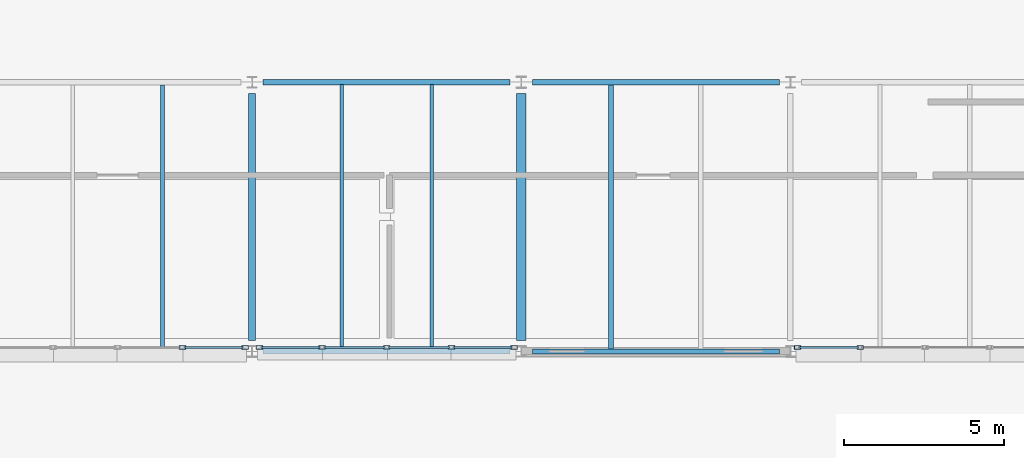
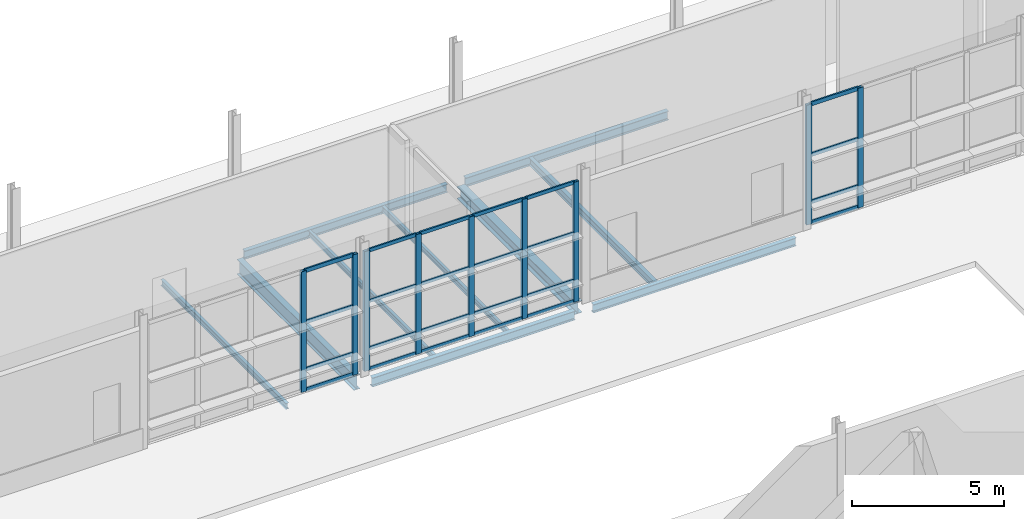
# One storey, part 25 of 124: 33 members, 10 beams, 3 elements without a shape of their own.
"""IFC4 building model written with IfcOpenShell, lengths in metres."""

from ifc_helpers import new_model, si_unit, direction, frame, origin, origin_2d, place, context, subcontext, project, spatial, hollow_rectangle, i_section, extrude, material, material_profile, profile_set, type_object, element, aggregate, save


model = new_model("IFC4")

# Units and contexts
model_context = context("Model", 3, precision=1e-05, world=origin(), true_north=direction((0.0, 1.0)))
body_context = subcontext(model_context, "Body", "Model", "MODEL_VIEW")
ifc_project = project(units=[si_unit("LENGTHUNIT", "METRE"), si_unit("AREAUNIT", "SQUARE_METRE"), si_unit("VOLUMEUNIT", "CUBIC_METRE"), si_unit("PLANEANGLEUNIT", "RADIAN"), si_unit("MASSUNIT", "GRAM", prefix="KILO")], contexts=[model_context])

# Site, building, storey
site_placement = place(None, origin())
site = spatial("IfcSite", under=ifc_project, at=site_placement, CompositionType="ELEMENT")
building_placement = place(site_placement, origin())
building = spatial("IfcBuilding", under=site, at=building_placement, Name="Mersafa Astral City Hall", CompositionType="ELEMENT")
storey_placement = place(building_placement, origin())
storey = spatial("IfcBuildingStorey", under=building, at=storey_placement, Name="L00", CompositionType="ELEMENT", Elevation=0.0)

# Curtain wall, members
ifc_material_1 = material(Name="Anodised bronze aluminium framing", Category="aluminium")
curtain_wall_type_1 = type_object("IfcCurtainWallType", Name="ENV-CW-1", PredefinedType="USERDEFINED", material=ifc_material_1)
curtain_wall_1_placement = place(storey_placement, origin())
curtain_wall_1 = element("IfcCurtainWall", 1, at=curtain_wall_1_placement, inside=storey, type_object=curtain_wall_type_1, Name="L00 Unitised solar curtain wall 42", ObjectType="UNITISED CURTAIN WALL", PredefinedType="USERDEFINED")
ifc_material_profile_1 = material_profile(ifc_material_1, hollow_rectangle(XDim=0.1201171875, YDim=0.199951171875, WallThickness=0.008056640625, at=origin_2d()), Name="RHS 120x200x8")
ifc_profile_set_1 = profile_set([ifc_material_profile_1], Name="Anodised bronze aluminium framing")
member_type_1 = type_object("IfcMemberType", Name="ENV-CW-MUL-2", PredefinedType="MULLION", material=ifc_profile_set_1)
member_1_placement = place(storey_placement, frame((65.01904296875, 50.52001953125, -0.001953125), z_axis=(0.0, 0.0, 1.0), x_axis=(0.0, 1.0, 0.0)))
member_1 = element("IfcMember", 2, at=member_1_placement, type_object=member_type_1, Name="CW-1 mullion 4", PredefinedType="MULLION", context=body_context, shape_type="SweptSolid", body=[
    extrude(hollow_rectangle(XDim=0.1201171875, YDim=0.199951171875, WallThickness=0.008056640625, at=origin_2d()), origin(), (0.0, 0.0, 1.0), 4.843994140625),
])
member_2_placement = place(storey_placement, frame((66.97802734375, 50.52001953125, -0.001953125), z_axis=(0.0, 0.0, 1.0), x_axis=(0.0, 1.0, 0.0)))
member_2 = element("IfcMember", 3, at=member_2_placement, type_object=member_type_1, Name="CW-1 mullion 5", PredefinedType="MULLION", context=body_context, shape_type="SweptSolid", body=[
    extrude(hollow_rectangle(XDim=0.1201171875, YDim=0.199951171875, WallThickness=0.008056640625, at=origin_2d()), origin(), (0.0, 0.0, 1.0), 4.843994140625),
])

curtain_wall_type_2 = type_object("IfcCurtainWallType", Name="ENV-CW-2", PredefinedType="USERDEFINED", material=ifc_material_1)
curtain_wall_2_placement = place(storey_placement, origin())
curtain_wall_2 = element("IfcCurtainWall", 4, at=curtain_wall_2_placement, inside=storey, type_object=curtain_wall_type_2, Name="L00 Unitised solar curtain wall 43", ObjectType="UNITISED CURTAIN WALL", PredefinedType="USERDEFINED")
member_3_placement = place(storey_placement, frame((67.422119140625, 50.52001953125, -0.001953125), z_axis=(0.0, 0.0, 1.0), x_axis=(0.0, 1.0, 0.0)))
member_3 = element("IfcMember", 5, at=member_3_placement, type_object=member_type_1, Name="CW-2 mullion 1", PredefinedType="MULLION", context=body_context, shape_type="SweptSolid", body=[
    extrude(hollow_rectangle(XDim=0.1201171875, YDim=0.199951171875, WallThickness=0.008056640625, at=origin_2d()), origin(), (0.0, 0.0, 1.0), 4.81396484375),
])
member_4_placement = place(storey_placement, frame((69.381103515625, 50.52001953125, -0.001953125), z_axis=(0.0, 0.0, 1.0), x_axis=(0.0, 1.0, 0.0)))
member_4 = element("IfcMember", 6, at=member_4_placement, type_object=member_type_1, Name="CW-2 mullion 2", PredefinedType="MULLION", context=body_context, shape_type="SweptSolid", body=[
    extrude(hollow_rectangle(XDim=0.1201171875, YDim=0.199951171875, WallThickness=0.008056640625, at=origin_2d()), origin(), (0.0, 0.0, 1.0), 4.81396484375),
])
member_5_placement = place(storey_placement, frame((71.39990234375, 50.52001953125, -0.001953125), z_axis=(0.0, 0.0, 1.0), x_axis=(0.0, 1.0, 0.0)))
member_5 = element("IfcMember", 7, at=member_5_placement, type_object=member_type_1, Name="CW-2 mullion 3", PredefinedType="MULLION", context=body_context, shape_type="SweptSolid", body=[
    extrude(hollow_rectangle(XDim=0.1201171875, YDim=0.199951171875, WallThickness=0.008056640625, at=origin_2d()), origin(), (0.0, 0.0, 1.0), 4.81396484375),
])
member_6_placement = place(storey_placement, frame((73.4189453125, 50.52001953125, -0.001953125), z_axis=(0.0, 0.0, 1.0), x_axis=(0.0, 1.0, 0.0)))
member_6 = element("IfcMember", 8, at=member_6_placement, type_object=member_type_1, Name="CW-2 mullion 4", PredefinedType="MULLION", context=body_context, shape_type="SweptSolid", body=[
    extrude(hollow_rectangle(XDim=0.1201171875, YDim=0.199951171875, WallThickness=0.008056640625, at=origin_2d()), origin(), (0.0, 0.0, 1.0), 4.81396484375),
])
member_7_placement = place(storey_placement, frame((75.3779296875, 50.52001953125, -0.001953125), z_axis=(0.0, 0.0, 1.0), x_axis=(0.0, 1.0, 0.0)))
member_7 = element("IfcMember", 9, at=member_7_placement, type_object=member_type_1, Name="CW-2 mullion 5", PredefinedType="MULLION", context=body_context, shape_type="SweptSolid", body=[
    extrude(hollow_rectangle(XDim=0.1201171875, YDim=0.199951171875, WallThickness=0.008056640625, at=origin_2d()), origin(), (0.0, 0.0, 1.0), 4.81396484375),
])

curtain_wall_type_3 = type_object("IfcCurtainWallType", Name="ENV-CW-3", PredefinedType="USERDEFINED", material=ifc_material_1)
curtain_wall_3_placement = place(storey_placement, origin())
curtain_wall_3 = element("IfcCurtainWall", 10, at=curtain_wall_3_placement, inside=storey, type_object=curtain_wall_type_3, Name="L00 Unitised solar curtain wall 44", ObjectType="UNITISED CURTAIN WALL", PredefinedType="USERDEFINED")
member_8_placement = place(storey_placement, frame((84.221923828125, 50.52001953125, -0.001953125), z_axis=(0.0, 0.0, 1.0), x_axis=(0.0, 1.0, 0.0)))
member_8 = element("IfcMember", 11, at=member_8_placement, type_object=member_type_1, Name="CW-3 mullion 1", PredefinedType="MULLION", context=body_context, shape_type="SweptSolid", body=[
    extrude(hollow_rectangle(XDim=0.1201171875, YDim=0.199951171875, WallThickness=0.008056640625, at=origin_2d()), origin(), (0.0, 0.0, 1.0), 4.81396484375),
])
member_9_placement = place(storey_placement, frame((86.180908203125, 50.52001953125, -0.001953125), z_axis=(0.0, 0.0, 1.0), x_axis=(0.0, 1.0, 0.0)))
member_9 = element("IfcMember", 12, at=member_9_placement, type_object=member_type_1, Name="CW-3 mullion 2", PredefinedType="MULLION", context=body_context, shape_type="SweptSolid", body=[
    extrude(hollow_rectangle(XDim=0.1201171875, YDim=0.199951171875, WallThickness=0.008056640625, at=origin_2d()), origin(), (0.0, 0.0, 1.0), 4.81396484375),
])

# Member
ifc_material_profile_2 = material_profile(ifc_material_1, hollow_rectangle(XDim=0.06005859375, YDim=0.139892578125, WallThickness=0.00390625, at=origin_2d()), Name="RHS 60x140x4")
ifc_profile_set_2 = profile_set([ifc_material_profile_2], Name="Anodised bronze aluminium framing")
member_type_2 = type_object("IfcMemberType", Name="ENV-CW-TRN-1", PredefinedType="USERDEFINED", material=ifc_profile_set_2)
member_10_placement = place(storey_placement, frame((67.48193359375, 50.52001953125, 0.028076171875), z_axis=(1.0, 0.0, 0.0), x_axis=(0.0, 1.0, 0.0)))
member_10 = element("IfcMember", 13, at=member_10_placement, type_object=member_type_2, Name="CW-2 transom 1.1", ObjectType="TRANSOM", PredefinedType="USERDEFINED", context=body_context, shape_type="SweptSolid", body=[
    extrude(hollow_rectangle(XDim=0.06005859375, YDim=0.139892578125, WallThickness=0.00390625, at=origin_2d()), origin(), (0.0, 0.0, 1.0), 1.839111328125),
])

member_11_placement = place(storey_placement, frame((67.48193359375, 50.52001953125, 0.85009765625), z_axis=(1.0, 0.0, 0.0), x_axis=(0.0, 1.0, 0.0)))
member_11 = element("IfcMember", 14, at=member_11_placement, type_object=member_type_2, Name="CW-2 transom 1.2", ObjectType="TRANSOM", PredefinedType="USERDEFINED", context=body_context, shape_type="SweptSolid", body=[
    extrude(hollow_rectangle(XDim=0.06005859375, YDim=0.139892578125, WallThickness=0.00390625, at=origin_2d()), origin(), (0.0, 0.0, 1.0), 1.839111328125),
])

member_12_placement = place(storey_placement, frame((67.48193359375, 50.52001953125, 2.75), z_axis=(1.0, 0.0, 0.0), x_axis=(0.0, 1.0, 0.0)))
member_12 = element("IfcMember", 15, at=member_12_placement, type_object=member_type_2, Name="CW-2 transom 1.3", ObjectType="TRANSOM", PredefinedType="USERDEFINED", context=body_context, shape_type="SweptSolid", body=[
    extrude(hollow_rectangle(XDim=0.06005859375, YDim=0.139892578125, WallThickness=0.00390625, at=origin_2d()), origin(), (0.0, 0.0, 1.0), 1.839111328125),
])

member_13_placement = place(storey_placement, frame((67.48193359375, 50.52001953125, 4.781982421875), z_axis=(1.0, 0.0, 0.0), x_axis=(0.0, 1.0, 0.0)))
member_13 = element("IfcMember", 16, at=member_13_placement, type_object=member_type_2, Name="CW-2 transom 1.4", ObjectType="TRANSOM", PredefinedType="USERDEFINED", context=body_context, shape_type="SweptSolid", body=[
    extrude(hollow_rectangle(XDim=0.06005859375, YDim=0.139892578125, WallThickness=0.00390625, at=origin_2d()), origin(), (0.0, 0.0, 1.0), 1.839111328125),
])

member_14_placement = place(storey_placement, frame((69.44091796875, 50.52001953125, 0.028076171875), z_axis=(1.0, 0.0, 0.0), x_axis=(0.0, 1.0, 0.0)))
member_14 = element("IfcMember", 17, at=member_14_placement, type_object=member_type_2, Name="CW-2 transom 2.1", ObjectType="TRANSOM", PredefinedType="USERDEFINED", context=body_context, shape_type="SweptSolid", body=[
    extrude(hollow_rectangle(XDim=0.06005859375, YDim=0.139892578125, WallThickness=0.00390625, at=origin_2d()), origin(), (0.0, 0.0, 1.0), 1.899169921875),
])

member_15_placement = place(storey_placement, frame((69.44091796875, 50.52001953125, 0.85009765625), z_axis=(1.0, 0.0, 0.0), x_axis=(0.0, 1.0, 0.0)))
member_15 = element("IfcMember", 18, at=member_15_placement, type_object=member_type_2, Name="CW-2 transom 2.2", ObjectType="TRANSOM", PredefinedType="USERDEFINED", context=body_context, shape_type="SweptSolid", body=[
    extrude(hollow_rectangle(XDim=0.06005859375, YDim=0.139892578125, WallThickness=0.00390625, at=origin_2d()), origin(), (0.0, 0.0, 1.0), 1.899169921875),
])

member_16_placement = place(storey_placement, frame((69.44091796875, 50.52001953125, 2.75), z_axis=(1.0, 0.0, 0.0), x_axis=(0.0, 1.0, 0.0)))
member_16 = element("IfcMember", 19, at=member_16_placement, type_object=member_type_2, Name="CW-2 transom 2.3", ObjectType="TRANSOM", PredefinedType="USERDEFINED", context=body_context, shape_type="SweptSolid", body=[
    extrude(hollow_rectangle(XDim=0.06005859375, YDim=0.139892578125, WallThickness=0.00390625, at=origin_2d()), origin(), (0.0, 0.0, 1.0), 1.899169921875),
])

member_17_placement = place(storey_placement, frame((69.44091796875, 50.52001953125, 4.781982421875), z_axis=(1.0, 0.0, 0.0), x_axis=(0.0, 1.0, 0.0)))
member_17 = element("IfcMember", 20, at=member_17_placement, type_object=member_type_2, Name="CW-2 transom 2.4", ObjectType="TRANSOM", PredefinedType="USERDEFINED", context=body_context, shape_type="SweptSolid", body=[
    extrude(hollow_rectangle(XDim=0.06005859375, YDim=0.139892578125, WallThickness=0.00390625, at=origin_2d()), origin(), (0.0, 0.0, 1.0), 1.899169921875),
])

member_18_placement = place(storey_placement, frame((71.4599609375, 50.52001953125, 0.028076171875), z_axis=(1.0, 0.0, 0.0), x_axis=(0.0, 1.0, 0.0)))
member_18 = element("IfcMember", 21, at=member_18_placement, type_object=member_type_2, Name="CW-2 transom 3.1", ObjectType="TRANSOM", PredefinedType="USERDEFINED", context=body_context, shape_type="SweptSolid", body=[
    extrude(hollow_rectangle(XDim=0.06005859375, YDim=0.139892578125, WallThickness=0.00390625, at=origin_2d()), origin(), (0.0, 0.0, 1.0), 1.89892578125),
])

member_19_placement = place(storey_placement, frame((71.4599609375, 50.52001953125, 0.85009765625), z_axis=(1.0, 0.0, 0.0), x_axis=(0.0, 1.0, 0.0)))
member_19 = element("IfcMember", 22, at=member_19_placement, type_object=member_type_2, Name="CW-2 transom 3.2", ObjectType="TRANSOM", PredefinedType="USERDEFINED", context=body_context, shape_type="SweptSolid", body=[
    extrude(hollow_rectangle(XDim=0.06005859375, YDim=0.139892578125, WallThickness=0.00390625, at=origin_2d()), origin(), (0.0, 0.0, 1.0), 1.89892578125),
])

member_20_placement = place(storey_placement, frame((71.4599609375, 50.52001953125, 2.75), z_axis=(1.0, 0.0, 0.0), x_axis=(0.0, 1.0, 0.0)))
member_20 = element("IfcMember", 23, at=member_20_placement, type_object=member_type_2, Name="CW-2 transom 3.3", ObjectType="TRANSOM", PredefinedType="USERDEFINED", context=body_context, shape_type="SweptSolid", body=[
    extrude(hollow_rectangle(XDim=0.06005859375, YDim=0.139892578125, WallThickness=0.00390625, at=origin_2d()), origin(), (0.0, 0.0, 1.0), 1.89892578125),
])

member_21_placement = place(storey_placement, frame((71.4599609375, 50.52001953125, 4.781982421875), z_axis=(1.0, 0.0, 0.0), x_axis=(0.0, 1.0, 0.0)))
member_21 = element("IfcMember", 24, at=member_21_placement, type_object=member_type_2, Name="CW-2 transom 3.4", ObjectType="TRANSOM", PredefinedType="USERDEFINED", context=body_context, shape_type="SweptSolid", body=[
    extrude(hollow_rectangle(XDim=0.06005859375, YDim=0.139892578125, WallThickness=0.00390625, at=origin_2d()), origin(), (0.0, 0.0, 1.0), 1.89892578125),
])

member_22_placement = place(storey_placement, frame((73.47900390625, 50.52001953125, 0.028076171875), z_axis=(1.0, 0.0, 0.0), x_axis=(0.0, 1.0, 0.0)))
member_22 = element("IfcMember", 25, at=member_22_placement, type_object=member_type_2, Name="CW-2 transom 4.1", ObjectType="TRANSOM", PredefinedType="USERDEFINED", context=body_context, shape_type="SweptSolid", body=[
    extrude(hollow_rectangle(XDim=0.06005859375, YDim=0.139892578125, WallThickness=0.00390625, at=origin_2d()), origin(), (0.0, 0.0, 1.0), 1.839111328125),
])

member_23_placement = place(storey_placement, frame((73.47900390625, 50.52001953125, 0.85009765625), z_axis=(1.0, 0.0, 0.0), x_axis=(0.0, 1.0, 0.0)))
member_23 = element("IfcMember", 26, at=member_23_placement, type_object=member_type_2, Name="CW-2 transom 4.2", ObjectType="TRANSOM", PredefinedType="USERDEFINED", context=body_context, shape_type="SweptSolid", body=[
    extrude(hollow_rectangle(XDim=0.06005859375, YDim=0.139892578125, WallThickness=0.00390625, at=origin_2d()), origin(), (0.0, 0.0, 1.0), 1.839111328125),
])

member_24_placement = place(storey_placement, frame((73.47900390625, 50.52001953125, 2.75), z_axis=(1.0, 0.0, 0.0), x_axis=(0.0, 1.0, 0.0)))
member_24 = element("IfcMember", 27, at=member_24_placement, type_object=member_type_2, Name="CW-2 transom 4.3", ObjectType="TRANSOM", PredefinedType="USERDEFINED", context=body_context, shape_type="SweptSolid", body=[
    extrude(hollow_rectangle(XDim=0.06005859375, YDim=0.139892578125, WallThickness=0.00390625, at=origin_2d()), origin(), (0.0, 0.0, 1.0), 1.839111328125),
])

member_25_placement = place(storey_placement, frame((73.47900390625, 50.52001953125, 4.781982421875), z_axis=(1.0, 0.0, 0.0), x_axis=(0.0, 1.0, 0.0)))
member_25 = element("IfcMember", 28, at=member_25_placement, type_object=member_type_2, Name="CW-2 transom 4.4", ObjectType="TRANSOM", PredefinedType="USERDEFINED", context=body_context, shape_type="SweptSolid", body=[
    extrude(hollow_rectangle(XDim=0.06005859375, YDim=0.139892578125, WallThickness=0.00390625, at=origin_2d()), origin(), (0.0, 0.0, 1.0), 1.839111328125),
])

aggregate(curtain_wall_2, [member_3, member_4, member_5, member_6, member_7, member_10, member_11, member_12, member_13, member_14, member_15, member_16, member_17, member_18, member_19, member_20, member_21, member_22, member_23, member_24, member_25])

ifc_material_profile_3 = material_profile(ifc_material_1, hollow_rectangle(XDim=0.06005859375, YDim=0.159912109375, WallThickness=0.00390625, at=origin_2d()), Name="RHS 60x160x4")
ifc_profile_set_3 = profile_set([ifc_material_profile_3], Name="Anodised bronze aluminium framing")
member_type_3 = type_object("IfcMemberType", Name="ENV-CW-TRN-2", PredefinedType="USERDEFINED", material=ifc_profile_set_3)
member_26_placement = place(storey_placement, frame((65.0791015625, 50.52001953125, 0.028076171875), z_axis=(1.0, 0.0, 0.0), x_axis=(0.0, 1.0, 0.0)))
member_26 = element("IfcMember", 29, at=member_26_placement, type_object=member_type_3, Name="CW-1 transom 4.1", ObjectType="TRANSOM", PredefinedType="USERDEFINED", context=body_context, shape_type="SweptSolid", body=[
    extrude(hollow_rectangle(XDim=0.06005859375, YDim=0.159912109375, WallThickness=0.00390625, at=origin_2d()), origin(), (0.0, 0.0, 1.0), 1.8388671875),
])

member_27_placement = place(storey_placement, frame((65.0791015625, 50.52001953125, 0.85009765625), z_axis=(1.0, 0.0, 0.0), x_axis=(0.0, 1.0, 0.0)))
member_27 = element("IfcMember", 30, at=member_27_placement, type_object=member_type_3, Name="CW-1 transom 4.2", ObjectType="TRANSOM", PredefinedType="USERDEFINED", context=body_context, shape_type="SweptSolid", body=[
    extrude(hollow_rectangle(XDim=0.06005859375, YDim=0.159912109375, WallThickness=0.00390625, at=origin_2d()), origin(), (0.0, 0.0, 1.0), 1.8388671875),
])

member_28_placement = place(storey_placement, frame((65.0791015625, 50.52001953125, 2.75), z_axis=(1.0, 0.0, 0.0), x_axis=(0.0, 1.0, 0.0)))
member_28 = element("IfcMember", 31, at=member_28_placement, type_object=member_type_3, Name="CW-1 transom 4.3", ObjectType="TRANSOM", PredefinedType="USERDEFINED", context=body_context, shape_type="SweptSolid", body=[
    extrude(hollow_rectangle(XDim=0.06005859375, YDim=0.159912109375, WallThickness=0.00390625, at=origin_2d()), origin(), (0.0, 0.0, 1.0), 1.8388671875),
])

member_29_placement = place(storey_placement, frame((65.0791015625, 50.52001953125, 4.81201171875), z_axis=(1.0, 0.0, 0.0), x_axis=(0.0, 1.0, 0.0)))
member_29 = element("IfcMember", 32, at=member_29_placement, type_object=member_type_3, Name="CW-1 transom 4.4", ObjectType="TRANSOM", PredefinedType="USERDEFINED", context=body_context, shape_type="SweptSolid", body=[
    extrude(hollow_rectangle(XDim=0.06005859375, YDim=0.159912109375, WallThickness=0.00390625, at=origin_2d()), origin(), (0.0, 0.0, 1.0), 1.8388671875),
])

aggregate(curtain_wall_1, [member_1, member_2, member_26, member_27, member_28, member_29])

member_30_placement = place(storey_placement, frame((84.281982421875, 50.52001953125, 0.028076171875), z_axis=(1.0, 0.0, 0.0), x_axis=(0.0, 1.0, 0.0)))
member_30 = element("IfcMember", 33, at=member_30_placement, type_object=member_type_3, Name="CW-3 transom 1.1", ObjectType="TRANSOM", PredefinedType="USERDEFINED", context=body_context, shape_type="SweptSolid", body=[
    extrude(hollow_rectangle(XDim=0.06005859375, YDim=0.159912109375, WallThickness=0.00390625, at=origin_2d()), origin(), (0.0, 0.0, 1.0), 1.839111328125),
])

member_31_placement = place(storey_placement, frame((84.281982421875, 50.52001953125, 0.85009765625), z_axis=(1.0, 0.0, 0.0), x_axis=(0.0, 1.0, 0.0)))
member_31 = element("IfcMember", 34, at=member_31_placement, type_object=member_type_3, Name="CW-3 transom 1.2", ObjectType="TRANSOM", PredefinedType="USERDEFINED", context=body_context, shape_type="SweptSolid", body=[
    extrude(hollow_rectangle(XDim=0.06005859375, YDim=0.159912109375, WallThickness=0.00390625, at=origin_2d()), origin(), (0.0, 0.0, 1.0), 1.839111328125),
])

member_32_placement = place(storey_placement, frame((84.281982421875, 50.52001953125, 2.75), z_axis=(1.0, 0.0, 0.0), x_axis=(0.0, 1.0, 0.0)))
member_32 = element("IfcMember", 35, at=member_32_placement, type_object=member_type_3, Name="CW-3 transom 1.3", ObjectType="TRANSOM", PredefinedType="USERDEFINED", context=body_context, shape_type="SweptSolid", body=[
    extrude(hollow_rectangle(XDim=0.06005859375, YDim=0.159912109375, WallThickness=0.00390625, at=origin_2d()), origin(), (0.0, 0.0, 1.0), 1.839111328125),
])

member_33_placement = place(storey_placement, frame((84.281982421875, 50.52001953125, 4.781982421875), z_axis=(1.0, 0.0, 0.0), x_axis=(0.0, 1.0, 0.0)))
member_33 = element("IfcMember", 36, at=member_33_placement, type_object=member_type_3, Name="CW-3 transom 1.4", ObjectType="TRANSOM", PredefinedType="USERDEFINED", context=body_context, shape_type="SweptSolid", body=[
    extrude(hollow_rectangle(XDim=0.06005859375, YDim=0.159912109375, WallThickness=0.00390625, at=origin_2d()), origin(), (0.0, 0.0, 1.0), 1.839111328125),
])

aggregate(curtain_wall_3, [member_8, member_9, member_30, member_31, member_32, member_33])

# Beams
ifc_material_2 = material(Name="Steel S355", Category="steel")
ifc_material_profile_4 = material_profile(ifc_material_2, i_section(OverallWidth=0.300048828125, OverallDepth=0.489990234375, WebThickness=0.011962890625, FlangeThickness=0.02294921875, FilletRadius=0.027099609375, at=origin_2d()), Name="HEA 500")
ifc_profile_set_4 = profile_set([ifc_material_profile_4], Name="Steel S355")
beam_type_1 = type_object("IfcBeamType", Name="STR-BM-HEA500", PredefinedType="BEAM", material=ifc_profile_set_4)
beam_1_placement = place(storey_placement, frame((75.60009765625, 50.7451171875, -0.4951171875), z_axis=(0.0, 1.0, 0.0), x_axis=(-1.0, 0.0, 0.0)))
element("IfcBeam", 37, at=beam_1_placement, inside=storey, type_object=beam_type_1, Name="L00 Primary girder Y 9-6", PredefinedType="BEAM", context=body_context, shape_type="SweptSolid", body=[
    extrude(i_section(OverallWidth=0.300048828125, OverallDepth=0.489990234375, WebThickness=0.011962890625, FlangeThickness=0.02294921875, FilletRadius=0.027099609375, at=origin_2d()), origin(), (0.0, 0.0, 1.0), 7.7099609375),
])
ifc_material_profile_5 = material_profile(ifc_material_2, i_section(OverallWidth=0.219970703125, OverallDepth=0.60009765625, WebThickness=0.011962890625, FlangeThickness=0.01904296875, FilletRadius=0.02392578125, at=origin_2d()), Name="IPE 600")
ifc_profile_set_5 = profile_set([ifc_material_profile_5], Name="Steel S355")
beam_type_2 = type_object("IfcBeamType", Name="STR-BM-IPE600", PredefinedType="BEAM", material=ifc_profile_set_5)
beam_2_placement = place(storey_placement, frame((67.199951171875, 50.7451171875, -0.550048828125), z_axis=(0.0, 1.0, 0.0), x_axis=(-1.0, 0.0, 0.0)))
element("IfcBeam", 38, at=beam_2_placement, inside=storey, type_object=beam_type_2, Name="L00 Primary girder Y 8-6", PredefinedType="BEAM", context=body_context, shape_type="SweptSolid", body=[
    extrude(i_section(OverallWidth=0.219970703125, OverallDepth=0.60009765625, WebThickness=0.011962890625, FlangeThickness=0.01904296875, FilletRadius=0.02392578125, at=origin_2d()), origin(), (0.0, 0.0, 1.0), 7.7099609375),
])
ifc_material_profile_6 = material_profile(ifc_material_2, i_section(OverallWidth=0.110107421875, OverallDepth=0.219970703125, WebThickness=0.005859375, FlangeThickness=0.00927734375, FilletRadius=0.011962890625, at=origin_2d()), Name="IPE 220")
ifc_profile_set_6 = profile_set([ifc_material_profile_6], Name="Steel S355")
beam_type_3 = type_object("IfcBeamType", Name="STR-BM-JOIST-IPE220", PredefinedType="JOIST", material=ifc_profile_set_6)
for number, where, z_axis, x_axis, name in (
    (39, (70.0, 50.47998046875, -0.360107421875), (0.0, 1.0, 0.0), (-1.0, 0.0, 0.0), "L00 Composite secondary floor joist 42"),
    (40, (72.800048828125, 50.47998046875, -0.360107421875), (0.0, 1.0, 0.0), (-1.0, 0.0, 0.0), "L00 Composite secondary floor joist 43"),
):
    element("IfcBeam", number, at=place(storey_placement, frame(where, z_axis=z_axis, x_axis=x_axis)), inside=storey, type_object=beam_type_3, Name=name, PredefinedType="JOIST", context=body_context, shape_type="SweptSolid", body=[
        extrude(i_section(OverallWidth=0.110107421875, OverallDepth=0.219970703125, WebThickness=0.005859375, FlangeThickness=0.00927734375, FilletRadius=0.011962890625, at=origin_2d()), origin(), (0.0, 0.0, 1.0), 8.2451171875),
    ])
ifc_material_profile_7 = material_profile(ifc_material_2, i_section(OverallWidth=0.1201171875, OverallDepth=0.239990234375, WebThickness=0.006103515625, FlangeThickness=0.009765625, FilletRadius=0.014892578125, at=origin_2d()), Name="IPE 240")
ifc_profile_set_7 = profile_set([ifc_material_profile_7], Name="Steel S355")
beam_type_4 = type_object("IfcBeamType", Name="STR-BM-JOIST-IPE240", PredefinedType="JOIST", material=ifc_profile_set_7)
beam_3_placement = place(storey_placement, frame((64.39990234375, 50.47509765625, -0.3701171875), z_axis=(0.0, 1.0, 0.0), x_axis=(-1.0, 0.0, 0.0)))
element("IfcBeam", 41, at=beam_3_placement, inside=storey, type_object=beam_type_4, Name="L00 Composite secondary floor joist 39", PredefinedType="JOIST", context=body_context, shape_type="SweptSolid", body=[
    extrude(i_section(OverallWidth=0.1201171875, OverallDepth=0.239990234375, WebThickness=0.006103515625, FlangeThickness=0.009765625, FilletRadius=0.014892578125, at=origin_2d()), origin(), (0.0, 0.0, 1.0), 8.244873046875),
])
ifc_material_profile_8 = material_profile(ifc_material_2, i_section(OverallWidth=0.14990234375, OverallDepth=0.300048828125, WebThickness=0.007080078125, FlangeThickness=0.0107421875, FilletRadius=0.014892578125, at=origin_2d()), Name="IPE 300")
ifc_profile_set_8 = profile_set([ifc_material_profile_8], Name="Steel S355")
beam_type_5 = type_object("IfcBeamType", Name="STR-BM-JOIST-IPE300", PredefinedType="JOIST", material=ifc_profile_set_8)
beam_4_placement = place(storey_placement, frame((78.39990234375, 50.47509765625, -0.39990234375), z_axis=(0.0, 1.0, 0.0), x_axis=(-1.0, 0.0, 0.0)))
element("IfcBeam", 42, at=beam_4_placement, inside=storey, type_object=beam_type_5, Name="L00 Composite secondary floor joist 48", PredefinedType="JOIST", context=body_context, shape_type="SweptSolid", body=[
    extrude(i_section(OverallWidth=0.14990234375, OverallDepth=0.300048828125, WebThickness=0.007080078125, FlangeThickness=0.0107421875, FilletRadius=0.014892578125, at=origin_2d()), origin(), (0.0, 0.0, 1.0), 8.244873046875),
])
ifc_material_profile_9 = material_profile(ifc_material_2, i_section(OverallWidth=0.159912109375, OverallDepth=0.330078125, WebThickness=0.007568359375, FlangeThickness=0.011474609375, FilletRadius=0.01806640625, at=origin_2d()), Name="IPE 330")
ifc_profile_set_9 = profile_set([ifc_material_profile_9], Name="Steel S355")
beam_type_6 = type_object("IfcBeamType", Name="STR-BM-SPANDREL-IPE330", PredefinedType="SPANDREL", material=ifc_profile_set_9)
for number, where, z_axis, x_axis, name in (
    (43, (75.945068359375, 50.39990234375, -0.4150390625), (1.0, 0.0, 0.0), (0.0, 1.0, 0.0), "L00 Primary girder X 9-6"),
    (44, (67.544921875, 58.800048828125, -0.4150390625), (1.0, 0.0, 0.0), (0.0, 1.0, 0.0), "L00 Primary girder X 8-7"),
):
    element("IfcBeam", number, at=place(storey_placement, frame(where, z_axis=z_axis, x_axis=x_axis)), inside=storey, type_object=beam_type_6, Name=name, PredefinedType="SPANDREL", context=body_context, shape_type="SweptSolid", body=[
        extrude(i_section(OverallWidth=0.159912109375, OverallDepth=0.330078125, WebThickness=0.007568359375, FlangeThickness=0.011474609375, FilletRadius=0.01806640625, at=origin_2d()), origin(), (0.0, 0.0, 1.0), 7.7099609375),
    ])
ifc_material_profile_10 = material_profile(ifc_material_2, i_section(OverallWidth=0.169921875, OverallDepth=0.360107421875, WebThickness=0.008056640625, FlangeThickness=0.0126953125, FilletRadius=0.01806640625, at=origin_2d()), Name="IPE 360")
ifc_profile_set_10 = profile_set([ifc_material_profile_10], Name="Steel S355")
beam_type_7 = type_object("IfcBeamType", Name="STR-BM-SPANDREL-IPE360", PredefinedType="SPANDREL", material=ifc_profile_set_10)
for number, where, z_axis, x_axis, name in (
    (45, (67.544921875, 50.39990234375, -0.429931640625), (1.0, 0.0, 0.0), (0.0, 1.0, 0.0), "L00 Primary girder X 8-6"),
    (46, (75.945068359375, 58.800048828125, -0.429931640625), (1.0, 0.0, 0.0), (0.0, 1.0, 0.0), "L00 Primary girder X 9-7"),
):
    element("IfcBeam", number, at=place(storey_placement, frame(where, z_axis=z_axis, x_axis=x_axis)), inside=storey, type_object=beam_type_7, Name=name, PredefinedType="SPANDREL", context=body_context, shape_type="SweptSolid", body=[
        extrude(i_section(OverallWidth=0.169921875, OverallDepth=0.360107421875, WebThickness=0.008056640625, FlangeThickness=0.0126953125, FilletRadius=0.01806640625, at=origin_2d()), origin(), (0.0, 0.0, 1.0), 7.7099609375),
    ])

save(model, "model.ifc")
